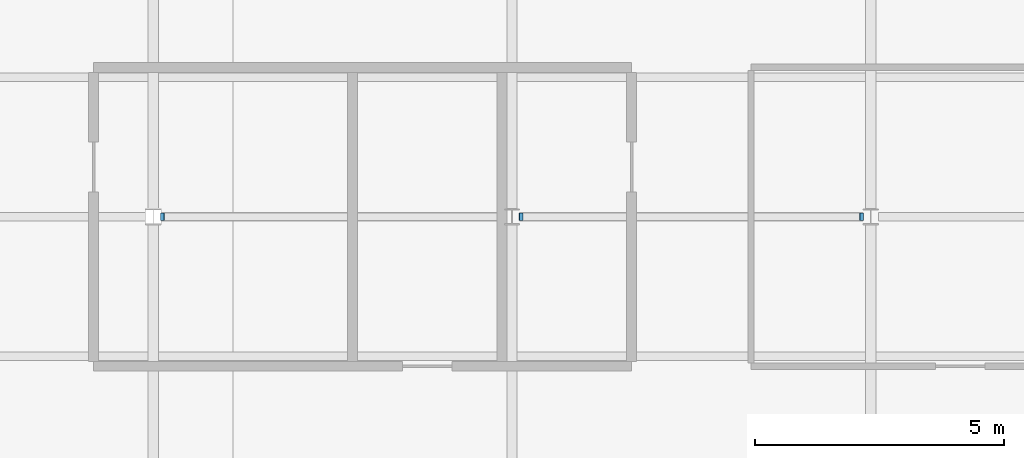
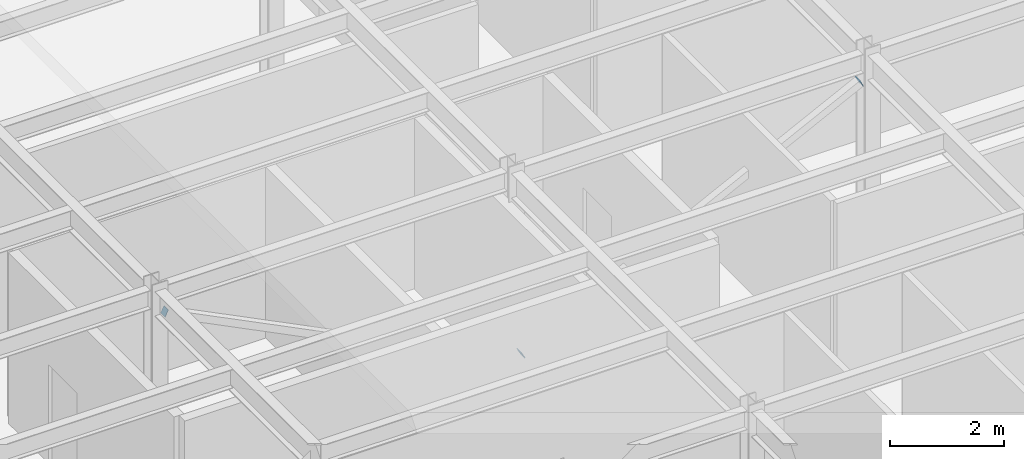
# One storey, part 82 of 127: 3 discrete accessories.
"""IFC4 building model written with IfcOpenShell, lengths in metres."""

from ifc_helpers import new_model, si_unit, direction, frame, origin, origin_2d, place, context, subcontext, project, spatial, rectangle, extrude, material, material_profile, profile_set, type_object, element, save


model = new_model("IFC4")

# Units and contexts
model_context = context("Model", 3, precision=1e-05, world=origin(), true_north=direction((0.0, 1.0)))
body_context = subcontext(model_context, "Body", "Model", "MODEL_VIEW")
ifc_project = project(units=[si_unit("LENGTHUNIT", "METRE"), si_unit("AREAUNIT", "SQUARE_METRE"), si_unit("VOLUMEUNIT", "CUBIC_METRE"), si_unit("PLANEANGLEUNIT", "RADIAN"), si_unit("MASSUNIT", "GRAM", prefix="KILO")], contexts=[model_context])

# Site, building, storey
site_placement = place(None, origin())
site = spatial("IfcSite", under=ifc_project, at=site_placement, CompositionType="ELEMENT")
building_placement = place(site_placement, origin())
building = spatial("IfcBuilding", under=site, at=building_placement, Name="Verrick Yard Athletic Hall", CompositionType="ELEMENT")
storey_placement = place(building_placement, frame((0.0, 0.0, 14.0)))
storey = spatial("IfcBuildingStorey", under=building, at=storey_placement, Name="L03", CompositionType="ELEMENT", Elevation=14.0)

# Discrete accessories
ifc_material = material(Name="Structural steel 350W (CSA G40.21)", Category="steel")
ifc_material_profile = material_profile(ifc_material, rectangle(XDim=0.15234375, YDim=0.15234375, at=origin_2d()), Name="STR End cap plate 152x152x9.5")
ifc_profile_set = profile_set([ifc_material_profile], Name="Structural steel 350W (CSA G40.21)")
discrete_accessory_type = type_object("IfcDiscreteAccessoryType", Name="STR End cap plate 152x152x9.5", PredefinedType="BRACKET", material=ifc_profile_set)
discrete_accessory_placement = place(storey_placement, frame((25.77880859375, 36.0, 0.212158203125), z_axis=(0.894427191, 0.0, 0.4472135955), x_axis=(0.0, 1.0, 0.0)))
element("IfcDiscreteAccessory", 1, at=discrete_accessory_placement, inside=storey, type_object=discrete_accessory_type, Name="End cap STR-BR-W2-L03 A", PredefinedType="BRACKET", context=body_context, shape_type="SweptSolid", body=[
    extrude(rectangle(XDim=0.15234375, YDim=0.15234375, at=origin_2d()), origin(), (0.0, 0.0, 1.0), 0.009765625),
])
for number, where, z_axis, x_axis, name in (
    (2, (32.6123046875, 36.0, 3.62646484375), (0.899235088746, 0.0, 0.437465718849), (0.0, 1.0, 0.0), "End cap STR-BR-W2-L03 B"),
    (3, (18.57861328125, 36.0, 3.630859375), (0.899235088746, 0.0, -0.437465718849), (0.0, 1.0, 0.0), "End cap STR-BR-W1-L03 A"),
):
    element("IfcDiscreteAccessory", number, at=place(storey_placement, frame(where, z_axis=z_axis, x_axis=x_axis)), inside=storey, type_object=discrete_accessory_type, Name=name, PredefinedType="BRACKET", context=body_context, shape_type="SweptSolid", body=[
        extrude(rectangle(XDim=0.15234375, YDim=0.15234375, at=origin_2d()), origin(), (0.0, 0.0, 1.0), 0.010009765625),
    ])

save(model, "model.ifc")
